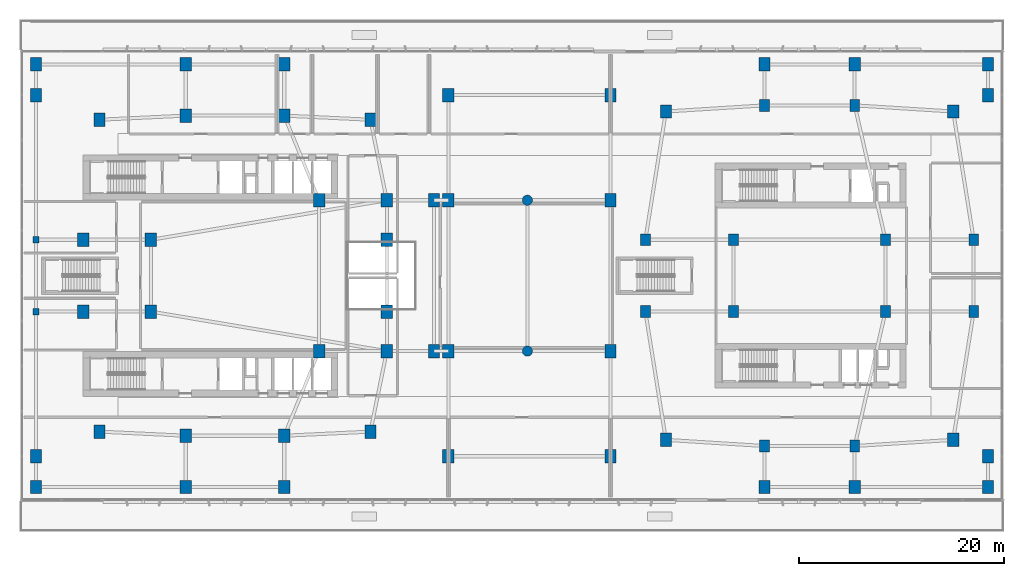
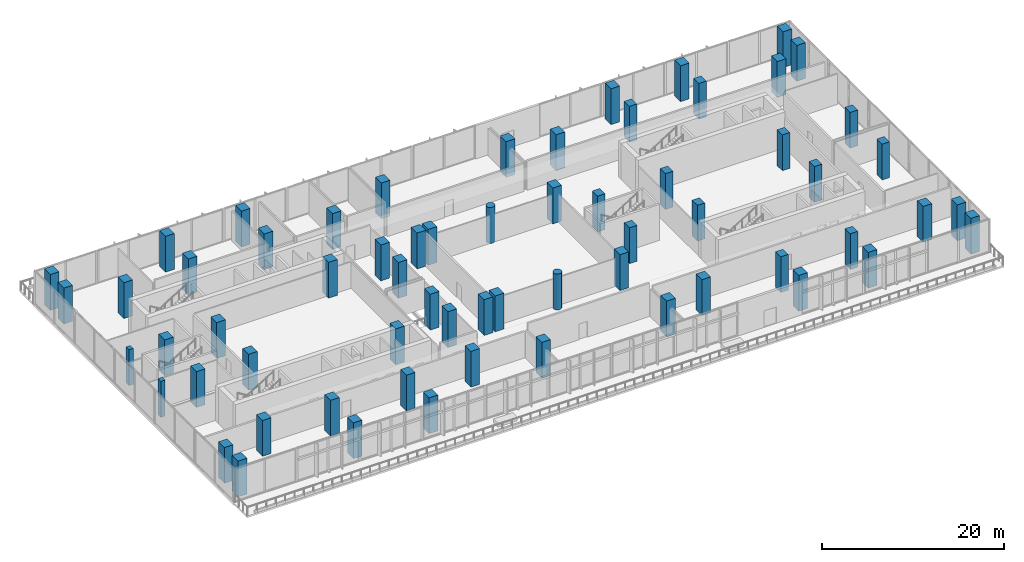
# One storey, part 1 of 30: 64 columns.
"""IFC4 building model written with IfcOpenShell, lengths in metres."""

import ifcopenshell
import ifcopenshell.guid

model = None  # the IFC model being written
_history = None  # IfcOwnerHistory: only IFC2X3 demands one
_inside = {}  # id of a spatial element -> (the spatial element, [elements in it])
_under = {}  # id of a project, library or spatial element -> (it, [spatial elements below it])
_declared = {}  # id of a project -> (the project, [libraries it declares])
_typed = {}  # id of a type object -> (the type object, [elements of that type])
_made_of = {}  # id of a material, layer set ... -> (it, [elements and type objects made of it])


def new_model(schema):
    """Start an empty IFC model of exactly this schema.

    Asked for "IFC4X3", IfcOpenShell would pick the latest addendum, in which some entities
    have other attributes; the version numbers below select the first issue.
    IFC2X3 requires an IfcOwnerHistory on every rooted entity: one is made here for all.
    """
    global model, _history
    if schema == "IFC4X3":
        model = ifcopenshell.file(schema_version=(4, 3, 0, 0))
    else:
        model = ifcopenshell.file(schema=schema)
    _inside.clear()
    _under.clear()
    _declared.clear()
    _typed.clear()
    _made_of.clear()
    _history = None
    if model.schema == "IFC2X3":
        org = make("IfcOrganization", Name="unknown")
        user = make(
            "IfcPersonAndOrganization",
            ThePerson=make("IfcPerson", FamilyName="unknown"),
            TheOrganization=org,
        )
        app = make(
            "IfcApplication",
            ApplicationDeveloper=org,
            Version="unknown",
            ApplicationFullName="unknown",
            ApplicationIdentifier="unknown",
        )
        _history = make(
            "IfcOwnerHistory",
            OwningUser=user,
            OwningApplication=app,
            ChangeAction="ADDED",
            CreationDate=0,
        )
    return model


def make(cls, **values):
    """One entity of the class cls with the attributes given. An attribute that is None is left unset."""
    return model.create_entity(
        cls, **{name: value for name, value in values.items() if value is not None}
    )


def rooted(cls, **values):
    """An entity with a GlobalId (a new one), such as an element, a storey or a relation."""
    return make(cls, GlobalId=ifcopenshell.guid.new(), OwnerHistory=_history, **values)


def si_unit(unit_type, name, prefix=None):
    """IfcSIUnit, for example si_unit("LENGTHUNIT", "METRE", prefix="MILLI")."""
    return make("IfcSIUnit", UnitType=unit_type, Prefix=prefix, Name=name)


def derived_unit(unit_type, elements):
    """IfcDerivedUnit: a product of units, each with its exponent."""
    return make(
        "IfcDerivedUnit",
        Elements=[
            make("IfcDerivedUnitElement", Unit=unit, Exponent=power)
            for unit, power in elements
        ],
        UnitType=unit_type,
    )


def assignment(units):
    """IfcUnitAssignment: the units of a project."""
    return None if units is None else make("IfcUnitAssignment", Units=units)


def point(xyz):
    """IfcCartesianPoint."""
    return None if xyz is None else make("IfcCartesianPoint", Coordinates=xyz)


def direction(xyz):
    """IfcDirection."""
    return None if xyz is None else make("IfcDirection", DirectionRatios=xyz)


def frame(location, z_axis=None, x_axis=None):
    """IfcAxis2Placement3D, a coordinate frame: its origin and axes. An axis left out is left unset."""
    return make(
        "IfcAxis2Placement3D",
        Location=point(location),
        Axis=direction(z_axis),
        RefDirection=direction(x_axis),
    )


def frame_2d(location, x_axis=None):
    """IfcAxis2Placement2D, a coordinate frame in the plane: its origin and x axis."""
    return make(
        "IfcAxis2Placement2D", Location=point(location), RefDirection=direction(x_axis)
    )


def origin():
    """The frame at (0, 0, 0) with its axes left unset."""
    return frame((0.0, 0.0, 0.0))


def origin_2d():
    """The frame at (0, 0) in the plane with its x axis left unset."""
    return frame_2d((0.0, 0.0))


def place(relative_to, where):
    """IfcLocalPlacement: puts the frame where relative to a parent placement (None: the world)."""
    return make(
        "IfcLocalPlacement", PlacementRelTo=relative_to, RelativePlacement=where
    )


def context(
    kind, dimensions, precision=None, world=None, true_north=None, identifier=None
):
    """IfcGeometricRepresentationContext, for example the 3D "Model" context."""
    return make(
        "IfcGeometricRepresentationContext",
        ContextIdentifier=identifier,
        ContextType=kind,
        CoordinateSpaceDimension=dimensions,
        Precision=precision,
        WorldCoordinateSystem=world,
        TrueNorth=true_north,
    )


def subcontext(parent, identifier, kind, view, scale=None):
    """IfcGeometricRepresentationSubContext, for example "Body" below "Model"."""
    return make(
        "IfcGeometricRepresentationSubContext",
        ContextIdentifier=identifier,
        ContextType=kind,
        ParentContext=parent,
        TargetScale=scale,
        TargetView=view,
    )


def project(units=None, contexts=None):
    """IfcProject with its units and contexts."""
    return rooted(
        "IfcProject",
        Name="project",
        RepresentationContexts=contexts,
        UnitsInContext=assignment(units),
    )


def spatial(cls, under=None, at=None, **own):
    """A site, building, storey or space (cls), placed at a placement, below another one or the project."""
    s = rooted(cls, ObjectPlacement=at, **own)
    if under is not None:
        _under.setdefault(under.id(), (under, []))[1].append(s)
    return s


def profile(cls, at=None, kind="AREA", **sizes):
    """A parametric profile (cls). Its sizes go by their IFC names, for example OverallWidth=200.0."""
    return make(cls, ProfileType=kind, Position=at, **sizes)


def rectangle(**sizes):
    """IfcRectangleProfileDef."""
    return profile("IfcRectangleProfileDef", **sizes)


def circle(**sizes):
    """IfcCircleProfileDef."""
    return profile("IfcCircleProfileDef", **sizes)


def extrude(swept, where, along, depth):
    """IfcExtrudedAreaSolid: the profile swept, set in the frame where, extruded along a direction by depth."""
    return make(
        "IfcExtrudedAreaSolid",
        SweptArea=swept,
        Position=where,
        ExtrudedDirection=direction(along),
        Depth=depth,
    )


def shape(context_of_items, identifier, shape_type, items):
    """IfcShapeRepresentation: the items that make up one representation, for example the "Body"."""
    return make(
        "IfcShapeRepresentation",
        ContextOfItems=context_of_items,
        RepresentationIdentifier=identifier,
        RepresentationType=shape_type,
        Items=items,
    )


def material(Name=None, Category=None):
    """IfcMaterial."""
    return make("IfcMaterial", Name=Name, Category=Category)


def material_profile(
    of_material, cross_section, Name=None, Category=None, Priority=None
):
    """IfcMaterialProfile: a cross section and its material."""
    return make(
        "IfcMaterialProfile",
        Name=Name,
        Material=of_material,
        Profile=cross_section,
        Priority=Priority,
        Category=Category,
    )


def profile_set(profiles, Name=None, composite=None):
    """IfcMaterialProfileSet."""
    return make(
        "IfcMaterialProfileSet",
        Name=Name,
        MaterialProfiles=profiles,
        CompositeProfile=composite,
    )


def made_of(thing, what):
    """Note that an element or type object is made of a material, layer set ...; save() writes the relation."""
    if what is not None:
        _made_of.setdefault(what.id(), (what, []))[1].append(thing)
    return thing


def type_object(cls, material=None, **own):
    """A type object (cls), such as IfcWallType, which elements share."""
    return made_of(rooted(cls, **own), material)


def element(
    cls,
    number,
    at=None,
    inside=None,
    cuts=None,
    type_object=None,
    material=None,
    context=None,
    identifier="Body",
    shape_type=None,
    held_by="IfcProductDefinitionShape",
    body=None,
    shapes=None,
    **own,
):
    """One element of the class cls, such as IfcWall. Its Tag is "e" and its number.

    at: its placement. inside: the storey or other place that contains it. cuts: it is an
    opening in that element (IfcRelVoidsElement). A single representation is given by context,
    identifier, shape_type and body (its items); several are given by shapes. held_by: the class
    of the entity that holds the representations. save() writes the other relations.
    """
    e = rooted(cls, Tag="e%d" % number, ObjectPlacement=at, **own)
    if body is not None:
        shapes = [shape(context, identifier, shape_type, body)]
    if shapes is not None:
        e.Representation = make(held_by, Representations=shapes)
    if inside is not None:
        _inside.setdefault(inside.id(), (inside, []))[1].append(e)
    if cuts is not None:
        rooted(
            "IfcRelVoidsElement", RelatingBuildingElement=cuts, RelatedOpeningElement=e
        )
    if type_object is not None:
        _typed.setdefault(type_object.id(), (type_object, []))[1].append(e)
    return made_of(e, material)


def aggregate(whole, parts):
    """IfcRelAggregates: a whole, such as a stair, and the parts it consists of."""
    return rooted("IfcRelAggregates", RelatingObject=whole, RelatedObjects=parts)


def save(model, path):
    """Write the relations noted so far, then the file.

    IfcRelAggregates (storeys below a building ...), IfcRelContainedInSpatialStructure (elements
    in a storey), IfcRelDefinesByType, IfcRelAssociatesMaterial and IfcRelDeclares: one each for
    every whole, place, type object, material and project.
    """
    for whole, parts in _under.values():
        aggregate(whole, parts)
    for where, things in _inside.values():
        rooted(
            "IfcRelContainedInSpatialStructure",
            RelatedElements=things,
            RelatingStructure=where,
        )
    for kind, things in _typed.values():
        rooted("IfcRelDefinesByType", RelatedObjects=things, RelatingType=kind)
    for what, things in _made_of.values():
        rooted("IfcRelAssociatesMaterial", RelatedObjects=things, RelatingMaterial=what)
    for by, libraries in _declared.values():
        rooted("IfcRelDeclares", RelatingContext=by, RelatedDefinitions=libraries)
    model.write(path)


model = new_model("IFC4")

# Units and contexts
model_context = context("Model", 3, precision=1e-05, world=origin(), true_north=direction((0.0, 1.0)))
body_context = subcontext(model_context, "Body", "Model", "MODEL_VIEW")
ifc_project = project(units=[si_unit("LENGTHUNIT", "METRE"), si_unit("AREAUNIT", "SQUARE_METRE"), si_unit("VOLUMEUNIT", "CUBIC_METRE"), si_unit("PLANEANGLEUNIT", "RADIAN"), si_unit("MASSUNIT", "GRAM", prefix="KILO"), derived_unit("THERMALTRANSMITTANCEUNIT", [(si_unit("POWERUNIT", "WATT"), 1), (si_unit("LENGTHUNIT", "METRE"), -2), (si_unit("THERMODYNAMICTEMPERATUREUNIT", "KELVIN"), -1)])], contexts=[model_context])

# Site, building, storey
site_placement = place(None, origin())
site = spatial("IfcSite", under=ifc_project, at=site_placement, CompositionType="ELEMENT")
building_placement = place(site_placement, origin())
building = spatial("IfcBuilding", under=site, at=building_placement, Name="Kivonza Crest Hotel", CompositionType="ELEMENT")
storey_placement = place(building_placement, frame((0.0, 0.0, 10.199951171875)))
storey = spatial("IfcBuildingStorey", under=building, at=storey_placement, Name="L02", CompositionType="ELEMENT", Elevation=10.199951171875)

# Columns
ifc_material = material(Name="Concrete C60/75", Category="concrete")
ifc_material_profile_1 = material_profile(ifc_material, rectangle(XDim=0.550048828125, YDim=0.64990234375, at=origin_2d()), Name="RC 650x550")
ifc_profile_set_1 = profile_set([ifc_material_profile_1], Name="Concrete C60/75")
column_type_1 = type_object("IfcColumnType", Name="CL-PIL-650x550", PredefinedType="PILASTER", material=ifc_profile_set_1)
for number, where, z_axis, x_axis, name in (
    (1, (1.60009765625, 21.5, 0.0), (0.0, 0.0, 1.0), (1.0, 0.0, 0.0), "Tower T1 L02 column Z1W1"),
    (2, (1.60009765625, 28.5, 0.0), (0.0, 0.0, 1.0), (1.0, 0.0, 0.0), "Tower T1 L02 column Z1W2"),
):
    element("IfcColumn", number, at=place(storey_placement, frame(where, z_axis=z_axis, x_axis=x_axis)), inside=storey, type_object=column_type_1, Name=name, PredefinedType="PILASTER", context=body_context, shape_type="SweptSolid", body=[
        extrude(rectangle(XDim=0.550048828125, YDim=0.64990234375, at=origin_2d()), origin(), (0.0, 0.0, 1.0), 4.800048828125),
    ])
ifc_material_profile_2 = material_profile(ifc_material, rectangle(XDim=0.949951171875, YDim=1.14990234375, at=origin_2d()), Name="RC 1150x950")
ifc_profile_set_2 = profile_set([ifc_material_profile_2], Name="Concrete C60/75")
column_type_2 = type_object("IfcColumnType", Name="CL-RC-1150x950", PredefinedType="COLUMN", material=ifc_profile_set_2)
for number, where, z_axis, x_axis, name in (
    (3, (72.60009765625, 8.39990234375, 0.0), (0.0, 0.0, 1.0), (1.0, 0.0, 0.0), "Companion Tower T2 L02 column S1"),
    (4, (81.39990234375, 8.39990234375, 0.0), (0.0, 0.0, 1.0), (1.0, 0.0, 0.0), "Companion Tower T2 L02 column S2"),
    (5, (72.60009765625, 41.60009765625, 0.0), (0.0, 0.0, 1.0), (1.0, 0.0, 0.0), "Companion Tower T2 L02 column N1"),
    (6, (81.39990234375, 41.60009765625, 0.0), (0.0, 0.0, 1.0), (1.0, 0.0, 0.0), "Companion Tower T2 L02 column N2"),
    (7, (61.0, 21.5, 0.0), (0.0, 0.0, 1.0), (1.0, 0.0, 0.0), "Companion Tower T2 L02 column W1"),
    (8, (61.0, 28.5, 0.0), (0.0, 0.0, 1.0), (1.0, 0.0, 0.0), "Companion Tower T2 L02 column W2"),
    (9, (93.0, 21.5, 0.0), (0.0, 0.0, 1.0), (1.0, 0.0, 0.0), "Companion Tower T2 L02 column E1"),
    (10, (93.0, 28.5, 0.0), (0.0, 0.0, 1.0), (1.0, 0.0, 0.0), "Companion Tower T2 L02 column E2"),
    (11, (69.60009765625, 21.5, 0.0), (0.0, 0.0, 1.0), (1.0, 0.0, 0.0), "Companion Tower T2 L02 column WL1"),
    (12, (69.60009765625, 28.5, 0.0), (0.0, 0.0, 1.0), (1.0, 0.0, 0.0), "Companion Tower T2 L02 column WL2"),
    (13, (84.39990234375, 21.5, 0.0), (0.0, 0.0, 1.0), (1.0, 0.0, 0.0), "Companion Tower T2 L02 column WR1"),
    (14, (84.39990234375, 28.5, 0.0), (0.0, 0.0, 1.0), (1.0, 0.0, 0.0), "Companion Tower T2 L02 column WR2"),
):
    element("IfcColumn", number, at=place(storey_placement, frame(where, z_axis=z_axis, x_axis=x_axis)), inside=storey, type_object=column_type_2, Name=name, PredefinedType="COLUMN", context=body_context, shape_type="SweptSolid", body=[
        extrude(rectangle(XDim=0.949951171875, YDim=1.14990234375, at=origin_2d()), origin(), (0.0, 0.0, 1.0), 4.800048828125),
    ])
ifc_material_profile_3 = material_profile(ifc_material, rectangle(XDim=1.10009765625, YDim=1.300048828125, at=origin_2d()), Name="RC 1300x1100")
ifc_profile_set_3 = profile_set([ifc_material_profile_3], Name="Concrete C60/75")
column_type_3 = type_object("IfcColumnType", Name="CL-RC-1300x1100", PredefinedType="COLUMN", material=ifc_profile_set_3)
for number, where, z_axis, x_axis, name in (
    (15, (16.199951171875, 9.39990234375, 0.0), (0.0, 0.0, 1.0), (1.0, 0.0, 0.0), "Tower T1 L02 column S1"),
    (16, (25.800048828125, 9.39990234375, 0.0), (0.0, 0.0, 1.0), (1.0, 0.0, 0.0), "Tower T1 L02 column S2"),
    (17, (16.199951171875, 40.60009765625, 0.0), (0.0, 0.0, 1.0), (1.0, 0.0, 0.0), "Tower T1 L02 column N1"),
    (18, (25.800048828125, 40.60009765625, 0.0), (0.0, 0.0, 1.0), (1.0, 0.0, 0.0), "Tower T1 L02 column N2"),
    (19, (6.199951171875, 21.5, 0.0), (0.0, 0.0, 1.0), (1.0, 0.0, 0.0), "Tower T1 L02 column W1"),
    (20, (6.199951171875, 28.5, 0.0), (0.0, 0.0, 1.0), (1.0, 0.0, 0.0), "Tower T1 L02 column W2"),
    (21, (7.800048828125, 9.800048828125, 0.0), (0.0, 0.0, 1.0), (1.0, 0.0, 0.0), "Tower T1 L02 column SW"),
    (22, (34.199951171875, 9.800048828125, 0.0), (0.0, 0.0, 1.0), (1.0, 0.0, 0.0), "Tower T1 L02 column SE"),
    (23, (34.199951171875, 40.199951171875, 0.0), (0.0, 0.0, 1.0), (1.0, 0.0, 0.0), "Tower T1 L02 column NE"),
    (24, (7.800048828125, 40.199951171875, 0.0), (0.0, 0.0, 1.0), (1.0, 0.0, 0.0), "Tower T1 L02 column NW"),
    (25, (35.800048828125, 21.5, 0.0), (0.0, 0.0, 1.0), (1.0, 0.0, 0.0), "Tower T1 L02 column E1"),
    (26, (35.800048828125, 28.5, 0.0), (0.0, 0.0, 1.0), (1.0, 0.0, 0.0), "Tower T1 L02 column E2"),
    (27, (35.800048828125, 17.64990234375, 0.0), (0.0, 0.0, 1.0), (1.0, 0.0, 0.0), "Tower T1 L02 column PSE"),
    (28, (35.800048828125, 32.35009765625, 0.0), (0.0, 0.0, 1.0), (1.0, 0.0, 0.0), "Tower T1 L02 column PNE"),
    (29, (12.800048828125, 21.5, 0.0), (0.0, 0.0, 1.0), (1.0, 0.0, 0.0), "Tower T1 L02 column WL1"),
    (30, (12.800048828125, 28.5, 0.0), (0.0, 0.0, 1.0), (1.0, 0.0, 0.0), "Tower T1 L02 column WL2"),
    (31, (29.199951171875, 17.64990234375, 0.0), (0.0, 0.0, 1.0), (1.0, 0.0, 0.0), "Tower T1 L02 column TSE"),
    (32, (29.199951171875, 32.35009765625, 0.0), (0.0, 0.0, 1.0), (1.0, 0.0, 0.0), "Tower T1 L02 column TNE"),
    (33, (40.39990234375, 17.64990234375, 0.0), (0.0, 0.0, 1.0), (1.0, 0.0, 0.0), "Tower T1 L02 column Z1E1"),
    (34, (40.39990234375, 32.35009765625, 0.0), (0.0, 0.0, 1.0), (1.0, 0.0, 0.0), "Tower T1 L02 column Z1E2"),
    (35, (63.0, 9.0, 0.0), (0.0, 0.0, 1.0), (1.0, 0.0, 0.0), "Companion Tower T2 L02 column SW"),
    (36, (91.0, 9.0, 0.0), (0.0, 0.0, 1.0), (1.0, 0.0, 0.0), "Companion Tower T2 L02 column SE"),
    (37, (91.0, 41.0, 0.0), (0.0, 0.0, 1.0), (1.0, 0.0, 0.0), "Companion Tower T2 L02 column NE"),
    (38, (63.0, 41.0, 0.0), (0.0, 0.0, 1.0), (1.0, 0.0, 0.0), "Companion Tower T2 L02 column NW"),
    (39, (41.800048828125, 17.64990234375, 0.0), (0.0, 0.0, 1.0), (1.0, 0.0, 0.0), "Podium L02 column LK1S"),
    (40, (41.800048828125, 32.35009765625, 0.0), (0.0, 0.0, 1.0), (1.0, 0.0, 0.0), "Podium L02 column LK1N"),
    (41, (57.60009765625, 17.64990234375, 0.0), (0.0, 0.0, 1.0), (1.0, 0.0, 0.0), "Podium L02 column LK3S"),
    (42, (57.60009765625, 32.35009765625, 0.0), (0.0, 0.0, 1.0), (1.0, 0.0, 0.0), "Podium L02 column LK3N"),
    (43, (1.60009765625, 4.39990234375, 0.0), (0.0, 0.0, 1.0), (1.0, 0.0, 0.0), "Podium L02 column PS21"),
    (44, (1.60009765625, 45.60009765625, 0.0), (0.0, 0.0, 1.0), (1.0, 0.0, 0.0), "Podium L02 column PN21"),
    (45, (16.199951171875, 4.39990234375, 0.0), (0.0, 0.0, 1.0), (1.0, 0.0, 0.0), "Podium L02 column PS22"),
    (46, (16.199951171875, 45.60009765625, 0.0), (0.0, 0.0, 1.0), (1.0, 0.0, 0.0), "Podium L02 column PN22"),
    (47, (25.800048828125, 4.39990234375, 0.0), (0.0, 0.0, 1.0), (1.0, 0.0, 0.0), "Podium L02 column PS23"),
    (48, (25.800048828125, 45.60009765625, 0.0), (0.0, 0.0, 1.0), (1.0, 0.0, 0.0), "Podium L02 column PN23"),
    (49, (72.60009765625, 4.39990234375, 0.0), (0.0, 0.0, 1.0), (1.0, 0.0, 0.0), "Podium L02 column PS24"),
    (50, (72.60009765625, 45.60009765625, 0.0), (0.0, 0.0, 1.0), (1.0, 0.0, 0.0), "Podium L02 column PN24"),
    (51, (81.39990234375, 4.39990234375, 0.0), (0.0, 0.0, 1.0), (1.0, 0.0, 0.0), "Podium L02 column PS25"),
    (52, (81.39990234375, 45.60009765625, 0.0), (0.0, 0.0, 1.0), (1.0, 0.0, 0.0), "Podium L02 column PN25"),
    (53, (94.39990234375, 4.39990234375, 0.0), (0.0, 0.0, 1.0), (1.0, 0.0, 0.0), "Podium L02 column PS26"),
    (54, (94.39990234375, 45.60009765625, 0.0), (0.0, 0.0, 1.0), (1.0, 0.0, 0.0), "Podium L02 column PN26"),
    (55, (1.60009765625, 7.39990234375, 0.0), (0.0, 0.0, 1.0), (1.0, 0.0, 0.0), "Podium L02 column PS41"),
    (56, (1.60009765625, 42.60009765625, 0.0), (0.0, 0.0, 1.0), (1.0, 0.0, 0.0), "Podium L02 column PN41"),
    (57, (41.800048828125, 7.39990234375, 0.0), (0.0, 0.0, 1.0), (1.0, 0.0, 0.0), "Podium L02 column PS42"),
    (58, (41.800048828125, 42.60009765625, 0.0), (0.0, 0.0, 1.0), (1.0, 0.0, 0.0), "Podium L02 column PN42"),
    (59, (57.60009765625, 7.39990234375, 0.0), (0.0, 0.0, 1.0), (1.0, 0.0, 0.0), "Podium L02 column PS43"),
    (60, (57.60009765625, 42.60009765625, 0.0), (0.0, 0.0, 1.0), (1.0, 0.0, 0.0), "Podium L02 column PN43"),
    (61, (94.39990234375, 7.39990234375, 0.0), (0.0, 0.0, 1.0), (1.0, 0.0, 0.0), "Podium L02 column PS44"),
    (62, (94.39990234375, 42.60009765625, 0.0), (0.0, 0.0, 1.0), (1.0, 0.0, 0.0), "Podium L02 column PN44"),
):
    element("IfcColumn", number, at=place(storey_placement, frame(where, z_axis=z_axis, x_axis=x_axis)), inside=storey, type_object=column_type_3, Name=name, PredefinedType="COLUMN", context=body_context, shape_type="SweptSolid", body=[
        extrude(rectangle(XDim=1.10009765625, YDim=1.300048828125, at=origin_2d()), origin(), (0.0, 0.0, 1.0), 4.800048828125),
    ])
ifc_material_profile_4 = material_profile(ifc_material, circle(Radius=0.5, at=origin_2d()), Name="RC D1000")
ifc_profile_set_4 = profile_set([ifc_material_profile_4], Name="Concrete C60/75")
column_type_4 = type_object("IfcColumnType", Name="CL-RC-D1000", PredefinedType="COLUMN", material=ifc_profile_set_4)
for number, where, z_axis, x_axis, name in (
    (63, (49.5, 17.64990234375, 0.0), (0.0, 0.0, 1.0), (1.0, 0.0, 0.0), "Podium L02 column LK2S"),
    (64, (49.5, 32.35009765625, 0.0), (0.0, 0.0, 1.0), (1.0, 0.0, 0.0), "Podium L02 column LK2N"),
):
    element("IfcColumn", number, at=place(storey_placement, frame(where, z_axis=z_axis, x_axis=x_axis)), inside=storey, type_object=column_type_4, Name=name, PredefinedType="COLUMN", context=body_context, shape_type="SweptSolid", body=[
        extrude(circle(Radius=0.5, at=origin_2d()), origin(), (0.0, 0.0, 1.0), 4.800048828125),
    ])

save(model, "model.ifc")
